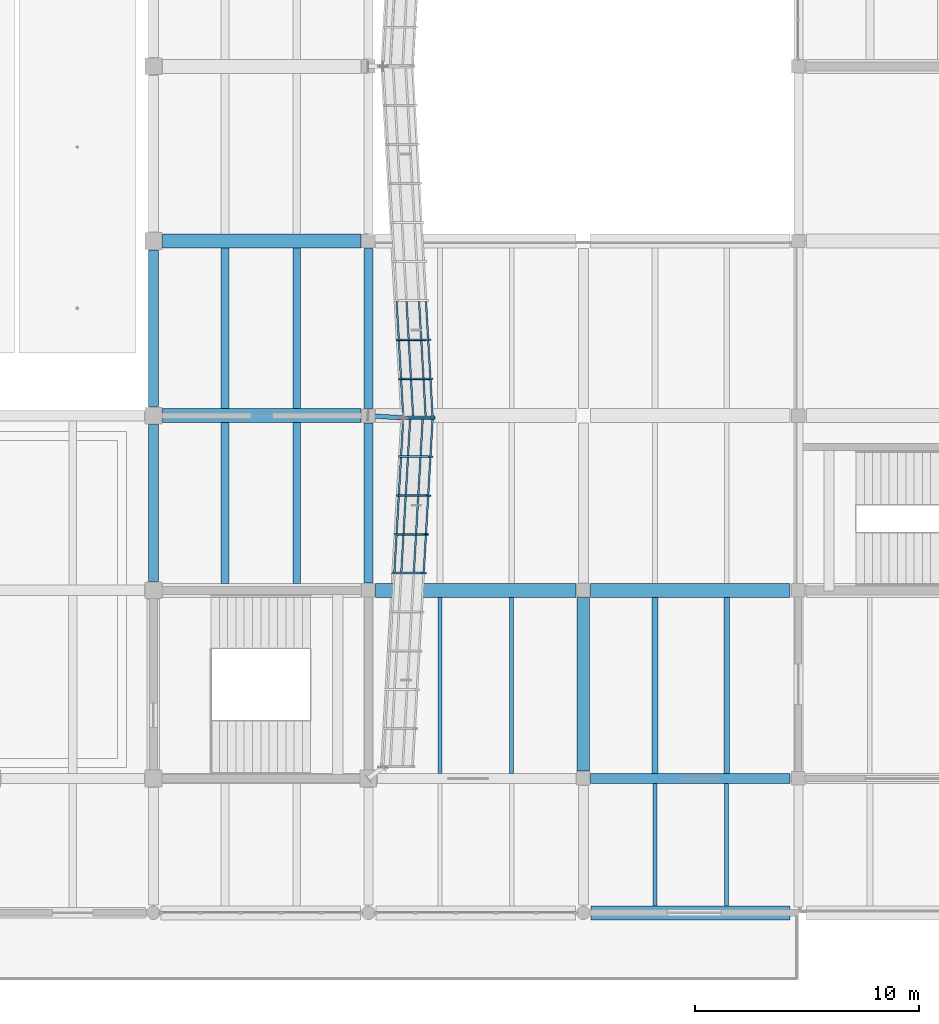
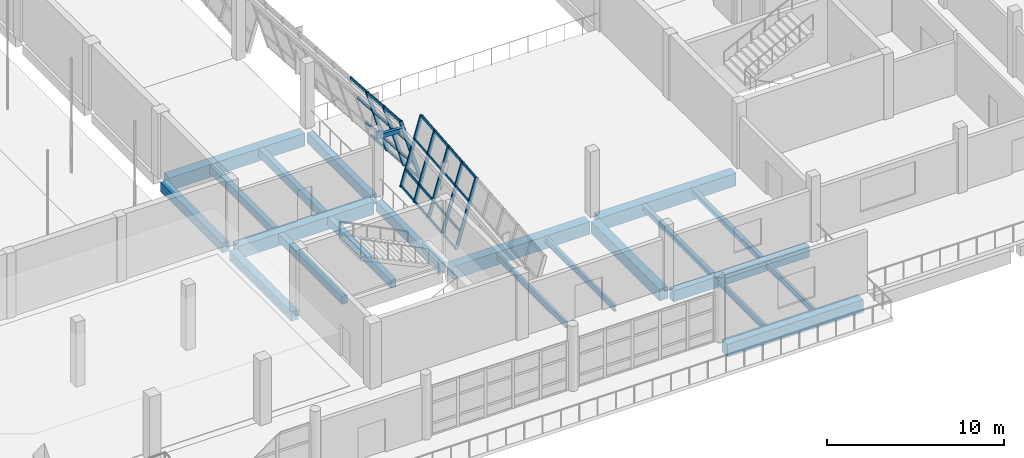
# One storey, part 18 of 71: 36 members, 22 beams, 2 elements without a shape of their own.
"""IFC4 building model written with IfcOpenShell, lengths in metres."""

from ifc_helpers import new_model, si_unit, direction, frame, origin, origin_2d, place, context, subcontext, project, spatial, rectangle, hollow_rectangle, i_section, extrude, material, material_profile, profile_set, type_object, element, aggregate, save


model = new_model("IFC4")

# Units and contexts
model_context = context("Model", 3, precision=1e-05, world=origin(), true_north=direction((0.0, 1.0)))
body_context = subcontext(model_context, "Body", "Model", "MODEL_VIEW")
ifc_project = project(units=[si_unit("LENGTHUNIT", "METRE"), si_unit("AREAUNIT", "SQUARE_METRE"), si_unit("VOLUMEUNIT", "CUBIC_METRE"), si_unit("PLANEANGLEUNIT", "RADIAN"), si_unit("MASSUNIT", "GRAM", prefix="KILO")], contexts=[model_context])

# Site, building, storey
site_placement = place(None, origin())
site = spatial("IfcSite", under=ifc_project, at=site_placement, CompositionType="ELEMENT")
building_placement = place(site_placement, origin())
building = spatial("IfcBuilding", under=site, at=building_placement, Name="Pellamere Symphony Hall", CompositionType="ELEMENT")
storey_placement = place(building_placement, frame((0.0, 0.0, 15.0)))
storey = spatial("IfcBuildingStorey", under=building, at=storey_placement, Name="L03", CompositionType="ELEMENT", Elevation=15.0)

# Curtain wall, members
ifc_material_1 = material(Name="Thermally Broken Anodised Aluminium 6063-T6 Curtain Wall", Category="aluminium")
curtain_wall_type = type_object("IfcCurtainWallType", Name="Curtain Wall CW-01 (Tilted Faceted Crystal Low-Iron Curtain Wall)", PredefinedType="NOTDEFINED", material=ifc_material_1)
curtain_wall_1_placement = place(storey_placement, origin())
curtain_wall_1 = element("IfcCurtainWall", 1, at=curtain_wall_1_placement, inside=storey, type_object=curtain_wall_type, Name="Crystal Faceted Curtain Wall CW-CR06 (L03)", PredefinedType="NOTDEFINED")
ifc_material_2 = material(Name="Anodised Architectural Aluminium 6063-T6", Category="aluminium")
ifc_material_profile_1 = material_profile(ifc_material_2, hollow_rectangle(XDim=0.074951171875, YDim=0.219970703125, WallThickness=0.0048828125, at=origin_2d()), Name="ALU-M75X220X5")
ifc_profile_set_1 = profile_set([ifc_material_profile_1], Name="Anodised Architectural Aluminium 6063-T6")
member_type_1 = type_object("IfcMemberType", Name="Curtain Wall Mullion ML-01 ALU-M75X220X5", PredefinedType="MULLION", material=ifc_profile_set_1)
member_1_placement = place(storey_placement, frame((119.949951171875, 39.166748046875, 0.0), z_axis=(0.284024567884, 0.0, 0.95881700279), x_axis=(-0.055224537145, -0.998339941676, 0.01635883099)))
member_1 = element("IfcMember", 2, at=member_1_placement, type_object=member_type_1, Name="CW1-007 crystal mullion 6", PredefinedType="MULLION", context=body_context, shape_type="SweptSolid", body=[
    extrude(hollow_rectangle(XDim=0.074951171875, YDim=0.219970703125, WallThickness=0.0048828125, at=origin_2d()), origin(), (0.0, 0.0, 1.0), 4.693359375),
])
member_2_placement = place(storey_placement, frame((120.050048828125, 40.89990234375, 0.0), z_axis=(0.284024567884, 0.0, 0.95881700279), x_axis=(-0.055224537145, -0.998339941676, 0.01635883099)))
member_2 = element("IfcMember", 3, at=member_2_placement, type_object=member_type_1, Name="CW1-007 crystal mullion 7", PredefinedType="MULLION", context=body_context, shape_type="SweptSolid", body=[
    extrude(hollow_rectangle(XDim=0.074951171875, YDim=0.219970703125, WallThickness=0.0048828125, at=origin_2d()), origin(), (0.0, 0.0, 1.0), 4.693359375),
])
member_3_placement = place(storey_placement, frame((120.14990234375, 42.63330078125, 0.0), z_axis=(0.284024567884, 0.0, 0.95881700279), x_axis=(-0.055224537145, -0.998339941676, 0.01635883099)))
member_3 = element("IfcMember", 4, at=member_3_placement, type_object=member_type_1, Name="CW1-007 crystal mullion 8", PredefinedType="MULLION", context=body_context, shape_type="SweptSolid", body=[
    extrude(hollow_rectangle(XDim=0.074951171875, YDim=0.219970703125, WallThickness=0.0048828125, at=origin_2d()), origin(), (0.0, 0.0, 1.0), 4.693359375),
])
member_4_placement = place(storey_placement, frame((120.25, 44.36669921875, 0.0), z_axis=(0.284024567884, 0.0, 0.95881700279), x_axis=(-0.055224537145, -0.998339941676, 0.01635883099)))
member_4 = element("IfcMember", 5, at=member_4_placement, type_object=member_type_1, Name="CW1-007 crystal mullion 9", PredefinedType="MULLION", context=body_context, shape_type="SweptSolid", body=[
    extrude(hollow_rectangle(XDim=0.074951171875, YDim=0.219970703125, WallThickness=0.0048828125, at=origin_2d()), origin(), (0.0, 0.0, 1.0), 4.693359375),
])
member_5_placement = place(storey_placement, frame((120.347900390625, 46.0625, 0.0), z_axis=(0.284024567884, 0.0, 0.95881700279), x_axis=(-0.055224537145, -0.998339941676, 0.01635883099)))
member_5 = element("IfcMember", 6, at=member_5_placement, type_object=member_type_1, Name="CW1-007 crystal mullion 10", PredefinedType="MULLION", context=body_context, shape_type="SweptSolid", body=[
    extrude(hollow_rectangle(XDim=0.074951171875, YDim=0.219970703125, WallThickness=0.0048828125, at=origin_2d()), origin(), (0.0, 0.0, 1.0), 4.693359375),
])

curtain_wall_2_placement = place(storey_placement, origin())
curtain_wall_2 = element("IfcCurtainWall", 7, at=curtain_wall_2_placement, inside=storey, type_object=curtain_wall_type, Name="Crystal Faceted Curtain Wall CW-CR07 (L03)", PredefinedType="NOTDEFINED")
member_6_placement = place(storey_placement, frame((121.680908203125, 46.137451171875, 0.0), z_axis=(-0.284024567884, 0.0, 0.95881700279), x_axis=(-0.054873944304, 0.99836096977, -0.016254976991)))
member_6 = element("IfcMember", 8, at=member_6_placement, type_object=member_type_1, Name="CW1-010 crystal mullion 1", PredefinedType="MULLION", context=body_context, shape_type="SweptSolid", body=[
    extrude(hollow_rectangle(XDim=0.074951171875, YDim=0.219970703125, WallThickness=0.0048828125, at=origin_2d()), origin(), (0.0, 0.0, 1.0), 4.693359375),
])
member_7_placement = place(storey_placement, frame((121.5830078125, 47.844482421875, 0.0), z_axis=(-0.284024567884, 0.0, 0.95881700279), x_axis=(-0.054873944304, 0.99836096977, -0.016254976991)))
member_7 = element("IfcMember", 9, at=member_7_placement, type_object=member_type_1, Name="CW1-010 crystal mullion 2", PredefinedType="MULLION", context=body_context, shape_type="SweptSolid", body=[
    extrude(hollow_rectangle(XDim=0.074951171875, YDim=0.219970703125, WallThickness=0.0048828125, at=origin_2d()), origin(), (0.0, 0.0, 1.0), 4.693359375),
])
member_8_placement = place(storey_placement, frame((121.48291015625, 49.5888671875, 0.0), z_axis=(-0.284024567884, 0.0, 0.95881700279), x_axis=(-0.054873944304, 0.99836096977, -0.016254976991)))
member_8 = element("IfcMember", 10, at=member_8_placement, type_object=member_type_1, Name="CW1-010 crystal mullion 3", PredefinedType="MULLION", context=body_context, shape_type="SweptSolid", body=[
    extrude(hollow_rectangle(XDim=0.074951171875, YDim=0.219970703125, WallThickness=0.0048828125, at=origin_2d()), origin(), (0.0, 0.0, 1.0), 4.693359375),
])

# Member
ifc_material_profile_2 = material_profile(ifc_material_2, hollow_rectangle(XDim=0.074951171875, YDim=0.179931640625, WallThickness=0.0048828125, at=origin_2d()), Name="ALU-T75X180X5")
ifc_profile_set_2 = profile_set([ifc_material_profile_2], Name="Anodised Architectural Aluminium 6063-T6")
member_type_2 = type_object("IfcMemberType", Name="Curtain Wall Transom TR-01 ALU-T75X180X5", PredefinedType="USERDEFINED", material=ifc_profile_set_2)
member_9_placement = place(storey_placement, frame((119.962890625, 39.2041015625, 0.035888671875), z_axis=(0.057610619545, 0.998339129012, 0.0), x_axis=(-0.998339129012, 0.057610619545, 0.0)))
member_9 = element("IfcMember", 11, at=member_9_placement, type_object=member_type_2, Name="CW1-007 crystal transom 6.1", ObjectType="TRANSOM", PredefinedType="USERDEFINED", context=body_context, shape_type="SweptSolid", body=[
    extrude(hollow_rectangle(XDim=0.074951171875, YDim=0.179931640625, WallThickness=0.0048828125, at=origin_2d()), origin(), (0.0, 0.0, 1.0), 1.6611328125),
])

member_10_placement = place(storey_placement, frame((120.27197265625, 39.2041015625, 1.080078125), z_axis=(0.057610619545, 0.998339129012, 0.0), x_axis=(-0.998339129012, 0.057610619545, 0.0)))
member_10 = element("IfcMember", 12, at=member_10_placement, type_object=member_type_2, Name="CW1-007 crystal transom 6.2", ObjectType="TRANSOM", PredefinedType="USERDEFINED", context=body_context, shape_type="SweptSolid", body=[
    extrude(hollow_rectangle(XDim=0.074951171875, YDim=0.179931640625, WallThickness=0.0048828125, at=origin_2d()), origin(), (0.0, 0.0, 1.0), 1.6611328125),
])

member_11_placement = place(storey_placement, frame((120.83203125, 39.2041015625, 2.969970703125), z_axis=(0.057610619545, 0.998339129012, 0.0), x_axis=(-0.998339129012, 0.057610619545, 0.0)))
member_11 = element("IfcMember", 13, at=member_11_placement, type_object=member_type_2, Name="CW1-007 crystal transom 6.3", ObjectType="TRANSOM", PredefinedType="USERDEFINED", context=body_context, shape_type="SweptSolid", body=[
    extrude(hollow_rectangle(XDim=0.074951171875, YDim=0.179931640625, WallThickness=0.0048828125, at=origin_2d()), origin(), (0.0, 0.0, 1.0), 1.6611328125),
])

member_12_placement = place(storey_placement, frame((121.2744140625, 39.2041015625, 4.464111328125), z_axis=(0.057610619545, 0.998339129012, 0.0), x_axis=(-0.998339129012, 0.057610619545, 0.0)))
member_12 = element("IfcMember", 14, at=member_12_placement, type_object=member_type_2, Name="CW1-007 crystal transom 6.4", ObjectType="TRANSOM", PredefinedType="USERDEFINED", context=body_context, shape_type="SweptSolid", body=[
    extrude(hollow_rectangle(XDim=0.074951171875, YDim=0.179931640625, WallThickness=0.0048828125, at=origin_2d()), origin(), (0.0, 0.0, 1.0), 1.6611328125),
])

member_13_placement = place(storey_placement, frame((120.062744140625, 40.9375, 0.035888671875), z_axis=(0.057610619545, 0.998339129012, 0.0), x_axis=(-0.998339129012, 0.057610619545, 0.0)))
member_13 = element("IfcMember", 15, at=member_13_placement, type_object=member_type_2, Name="CW1-007 crystal transom 7.1", ObjectType="TRANSOM", PredefinedType="USERDEFINED", context=body_context, shape_type="SweptSolid", body=[
    extrude(hollow_rectangle(XDim=0.074951171875, YDim=0.179931640625, WallThickness=0.0048828125, at=origin_2d()), origin(), (0.0, 0.0, 1.0), 1.6611328125),
])

member_14_placement = place(storey_placement, frame((120.3720703125, 40.9375, 1.080078125), z_axis=(0.057610619545, 0.998339129012, 0.0), x_axis=(-0.998339129012, 0.057610619545, 0.0)))
member_14 = element("IfcMember", 16, at=member_14_placement, type_object=member_type_2, Name="CW1-007 crystal transom 7.2", ObjectType="TRANSOM", PredefinedType="USERDEFINED", context=body_context, shape_type="SweptSolid", body=[
    extrude(hollow_rectangle(XDim=0.074951171875, YDim=0.179931640625, WallThickness=0.0048828125, at=origin_2d()), origin(), (0.0, 0.0, 1.0), 1.6611328125),
])

member_15_placement = place(storey_placement, frame((120.931884765625, 40.9375, 2.969970703125), z_axis=(0.057610619545, 0.998339129012, 0.0), x_axis=(-0.998339129012, 0.057610619545, 0.0)))
member_15 = element("IfcMember", 17, at=member_15_placement, type_object=member_type_2, Name="CW1-007 crystal transom 7.3", ObjectType="TRANSOM", PredefinedType="USERDEFINED", context=body_context, shape_type="SweptSolid", body=[
    extrude(hollow_rectangle(XDim=0.074951171875, YDim=0.179931640625, WallThickness=0.0048828125, at=origin_2d()), origin(), (0.0, 0.0, 1.0), 1.6611328125),
])

member_16_placement = place(storey_placement, frame((121.37451171875, 40.9375, 4.464111328125), z_axis=(0.057610619545, 0.998339129012, 0.0), x_axis=(-0.998339129012, 0.057610619545, 0.0)))
member_16 = element("IfcMember", 18, at=member_16_placement, type_object=member_type_2, Name="CW1-007 crystal transom 7.4", ObjectType="TRANSOM", PredefinedType="USERDEFINED", context=body_context, shape_type="SweptSolid", body=[
    extrude(hollow_rectangle(XDim=0.074951171875, YDim=0.179931640625, WallThickness=0.0048828125, at=origin_2d()), origin(), (0.0, 0.0, 1.0), 1.6611328125),
])

member_17_placement = place(storey_placement, frame((120.162841796875, 42.670654296875, 0.035888671875), z_axis=(0.057602168051, 0.998339616682, 0.0), x_axis=(-0.998339616682, 0.057602168051, 0.0)))
member_17 = element("IfcMember", 19, at=member_17_placement, type_object=member_type_2, Name="CW1-007 crystal transom 8.1", ObjectType="TRANSOM", PredefinedType="USERDEFINED", context=body_context, shape_type="SweptSolid", body=[
    extrude(hollow_rectangle(XDim=0.074951171875, YDim=0.179931640625, WallThickness=0.0048828125, at=origin_2d()), origin(), (0.0, 0.0, 1.0), 1.661376953125),
])

member_18_placement = place(storey_placement, frame((120.47216796875, 42.670654296875, 1.080078125), z_axis=(0.057602168051, 0.998339616682, 0.0), x_axis=(-0.998339616682, 0.057602168051, 0.0)))
member_18 = element("IfcMember", 20, at=member_18_placement, type_object=member_type_2, Name="CW1-007 crystal transom 8.2", ObjectType="TRANSOM", PredefinedType="USERDEFINED", context=body_context, shape_type="SweptSolid", body=[
    extrude(hollow_rectangle(XDim=0.074951171875, YDim=0.179931640625, WallThickness=0.0048828125, at=origin_2d()), origin(), (0.0, 0.0, 1.0), 1.661376953125),
])

member_19_placement = place(storey_placement, frame((121.031982421875, 42.670654296875, 2.969970703125), z_axis=(0.057602168051, 0.998339616682, 0.0), x_axis=(-0.998339616682, 0.057602168051, 0.0)))
member_19 = element("IfcMember", 21, at=member_19_placement, type_object=member_type_2, Name="CW1-007 crystal transom 8.3", ObjectType="TRANSOM", PredefinedType="USERDEFINED", context=body_context, shape_type="SweptSolid", body=[
    extrude(hollow_rectangle(XDim=0.074951171875, YDim=0.179931640625, WallThickness=0.0048828125, at=origin_2d()), origin(), (0.0, 0.0, 1.0), 1.661376953125),
])

member_20_placement = place(storey_placement, frame((121.474609375, 42.670654296875, 4.464111328125), z_axis=(0.05745570945, 0.998348056267, 0.0), x_axis=(-0.998348056267, 0.05745570945, 0.0)))
member_20 = element("IfcMember", 22, at=member_20_placement, type_object=member_type_2, Name="CW1-007 crystal transom 8.4", ObjectType="TRANSOM", PredefinedType="USERDEFINED", context=body_context, shape_type="SweptSolid", body=[
    extrude(hollow_rectangle(XDim=0.074951171875, YDim=0.179931640625, WallThickness=0.0048828125, at=origin_2d()), origin(), (0.0, 0.0, 1.0), 1.661376953125),
])

member_21_placement = place(storey_placement, frame((120.2626953125, 44.404052734375, 0.035888671875), z_axis=(0.057734859862, 0.998331951786, 0.0), x_axis=(-0.998331951786, 0.057734859862, 0.0)))
member_21 = element("IfcMember", 23, at=member_21_placement, type_object=member_type_2, Name="CW1-007 crystal transom 9.1", ObjectType="TRANSOM", PredefinedType="USERDEFINED", context=body_context, shape_type="SweptSolid", body=[
    extrude(hollow_rectangle(XDim=0.074951171875, YDim=0.179931640625, WallThickness=0.0048828125, at=origin_2d()), origin(), (0.0, 0.0, 1.0), 1.623779296875),
])

member_22_placement = place(storey_placement, frame((120.572021484375, 44.404052734375, 1.080078125), z_axis=(0.057585007883, 0.99834060664, 0.0), x_axis=(-0.99834060664, 0.057585007883, 0.0)))
member_22 = element("IfcMember", 24, at=member_22_placement, type_object=member_type_2, Name="CW1-007 crystal transom 9.2", ObjectType="TRANSOM", PredefinedType="USERDEFINED", context=body_context, shape_type="SweptSolid", body=[
    extrude(hollow_rectangle(XDim=0.074951171875, YDim=0.179931640625, WallThickness=0.0048828125, at=origin_2d()), origin(), (0.0, 0.0, 1.0), 1.623779296875),
])

member_23_placement = place(storey_placement, frame((121.1318359375, 44.404052734375, 2.969970703125), z_axis=(0.057585007883, 0.99834060664, 0.0), x_axis=(-0.99834060664, 0.057585007883, 0.0)))
member_23 = element("IfcMember", 25, at=member_23_placement, type_object=member_type_2, Name="CW1-007 crystal transom 9.3", ObjectType="TRANSOM", PredefinedType="USERDEFINED", context=body_context, shape_type="SweptSolid", body=[
    extrude(hollow_rectangle(XDim=0.074951171875, YDim=0.179931640625, WallThickness=0.0048828125, at=origin_2d()), origin(), (0.0, 0.0, 1.0), 1.623779296875),
])

member_24_placement = place(storey_placement, frame((121.574462890625, 44.404052734375, 4.464111328125), z_axis=(0.057585007883, 0.99834060664, 0.0), x_axis=(-0.99834060664, 0.057585007883, 0.0)))
member_24 = element("IfcMember", 26, at=member_24_placement, type_object=member_type_2, Name="CW1-007 crystal transom 9.4", ObjectType="TRANSOM", PredefinedType="USERDEFINED", context=body_context, shape_type="SweptSolid", body=[
    extrude(hollow_rectangle(XDim=0.074951171875, YDim=0.179931640625, WallThickness=0.0048828125, at=origin_2d()), origin(), (0.0, 0.0, 1.0), 1.623779296875),
])

aggregate(curtain_wall_1, [member_1, member_2, member_3, member_4, member_5, member_9, member_10, member_11, member_12, member_13, member_14, member_15, member_16, member_17, member_18, member_19, member_20, member_21, member_22, member_23, member_24])

member_25_placement = place(storey_placement, frame((121.66796875, 46.1748046875, 0.035888671875), z_axis=(-0.057198647566, 0.998362817175, 0.0), x_axis=(-0.998362817175, -0.057198647566, 0.0)))
member_25 = element("IfcMember", 27, at=member_25_placement, type_object=member_type_2, Name="CW1-010 crystal transom 1.1", ObjectType="TRANSOM", PredefinedType="USERDEFINED", context=body_context, shape_type="SweptSolid", body=[
    extrude(hollow_rectangle(XDim=0.074951171875, YDim=0.179931640625, WallThickness=0.0048828125, at=origin_2d()), origin(), (0.0, 0.0, 1.0), 1.634765625),
])

member_26_placement = place(storey_placement, frame((121.35888671875, 46.1748046875, 1.080078125), z_axis=(-0.057347500779, 0.998354277877, 0.0), x_axis=(-0.998354277877, -0.057347500779, 0.0)))
member_26 = element("IfcMember", 28, at=member_26_placement, type_object=member_type_2, Name="CW1-010 crystal transom 1.2", ObjectType="TRANSOM", PredefinedType="USERDEFINED", context=body_context, shape_type="SweptSolid", body=[
    extrude(hollow_rectangle(XDim=0.074951171875, YDim=0.179931640625, WallThickness=0.0048828125, at=origin_2d()), origin(), (0.0, 0.0, 1.0), 1.634765625),
])

member_27_placement = place(storey_placement, frame((120.798828125, 46.1748046875, 2.969970703125), z_axis=(-0.057198647566, 0.998362817175, 0.0), x_axis=(-0.998362817175, -0.057198647566, 0.0)))
member_27 = element("IfcMember", 29, at=member_27_placement, type_object=member_type_2, Name="CW1-010 crystal transom 1.3", ObjectType="TRANSOM", PredefinedType="USERDEFINED", context=body_context, shape_type="SweptSolid", body=[
    extrude(hollow_rectangle(XDim=0.074951171875, YDim=0.179931640625, WallThickness=0.0048828125, at=origin_2d()), origin(), (0.0, 0.0, 1.0), 1.634765625),
])

member_28_placement = place(storey_placement, frame((120.3564453125, 46.1748046875, 4.464111328125), z_axis=(-0.057347500779, 0.998354277877, 0.0), x_axis=(-0.998354277877, -0.057347500779, 0.0)))
member_28 = element("IfcMember", 30, at=member_28_placement, type_object=member_type_2, Name="CW1-010 crystal transom 1.4", ObjectType="TRANSOM", PredefinedType="USERDEFINED", context=body_context, shape_type="SweptSolid", body=[
    extrude(hollow_rectangle(XDim=0.074951171875, YDim=0.179931640625, WallThickness=0.0048828125, at=origin_2d()), origin(), (0.0, 0.0, 1.0), 1.634765625),
])

member_29_placement = place(storey_placement, frame((121.5703125, 47.8818359375, 0.035888671875), z_axis=(-0.057224396245, 0.998361341637, 0.0), x_axis=(-0.998361341637, -0.057224396245, 0.0)))
member_29 = element("IfcMember", 31, at=member_29_placement, type_object=member_type_2, Name="CW1-010 crystal transom 2.1", ObjectType="TRANSOM", PredefinedType="USERDEFINED", context=body_context, shape_type="SweptSolid", body=[
    extrude(hollow_rectangle(XDim=0.074951171875, YDim=0.179931640625, WallThickness=0.0048828125, at=origin_2d()), origin(), (0.0, 0.0, 1.0), 1.67236328125),
])

member_30_placement = place(storey_placement, frame((121.260986328125, 47.8818359375, 1.080078125), z_axis=(-0.057224396245, 0.998361341637, 0.0), x_axis=(-0.998361341637, -0.057224396245, 0.0)))
member_30 = element("IfcMember", 32, at=member_30_placement, type_object=member_type_2, Name="CW1-010 crystal transom 2.2", ObjectType="TRANSOM", PredefinedType="USERDEFINED", context=body_context, shape_type="SweptSolid", body=[
    extrude(hollow_rectangle(XDim=0.074951171875, YDim=0.179931640625, WallThickness=0.0048828125, at=origin_2d()), origin(), (0.0, 0.0, 1.0), 1.67236328125),
])

member_31_placement = place(storey_placement, frame((120.701171875, 47.8818359375, 2.969970703125), z_axis=(-0.057224396245, 0.998361341637, 0.0), x_axis=(-0.998361341637, -0.057224396245, 0.0)))
member_31 = element("IfcMember", 33, at=member_31_placement, type_object=member_type_2, Name="CW1-010 crystal transom 2.3", ObjectType="TRANSOM", PredefinedType="USERDEFINED", context=body_context, shape_type="SweptSolid", body=[
    extrude(hollow_rectangle(XDim=0.074951171875, YDim=0.179931640625, WallThickness=0.0048828125, at=origin_2d()), origin(), (0.0, 0.0, 1.0), 1.67236328125),
])

member_32_placement = place(storey_placement, frame((120.258544921875, 47.8818359375, 4.464111328125), z_axis=(-0.057224396245, 0.998361341637, 0.0), x_axis=(-0.998361341637, -0.057224396245, 0.0)))
member_32 = element("IfcMember", 34, at=member_32_placement, type_object=member_type_2, Name="CW1-010 crystal transom 2.4", ObjectType="TRANSOM", PredefinedType="USERDEFINED", context=body_context, shape_type="SweptSolid", body=[
    extrude(hollow_rectangle(XDim=0.074951171875, YDim=0.179931640625, WallThickness=0.0048828125, at=origin_2d()), origin(), (0.0, 0.0, 1.0), 1.67236328125),
])

member_33_placement = place(storey_placement, frame((121.47021484375, 49.626220703125, 0.035888671875), z_axis=(-0.057224396245, 0.998361341637, 0.0), x_axis=(-0.998361341637, -0.057224396245, 0.0)))
member_33 = element("IfcMember", 35, at=member_33_placement, type_object=member_type_2, Name="CW1-010 crystal transom 3.1", ObjectType="TRANSOM", PredefinedType="USERDEFINED", context=body_context, shape_type="SweptSolid", body=[
    extrude(hollow_rectangle(XDim=0.074951171875, YDim=0.179931640625, WallThickness=0.0048828125, at=origin_2d()), origin(), (0.0, 0.0, 1.0), 1.67236328125),
])

member_34_placement = place(storey_placement, frame((121.160888671875, 49.626220703125, 1.080078125), z_axis=(-0.057224396245, 0.998361341637, 0.0), x_axis=(-0.998361341637, -0.057224396245, 0.0)))
member_34 = element("IfcMember", 36, at=member_34_placement, type_object=member_type_2, Name="CW1-010 crystal transom 3.2", ObjectType="TRANSOM", PredefinedType="USERDEFINED", context=body_context, shape_type="SweptSolid", body=[
    extrude(hollow_rectangle(XDim=0.074951171875, YDim=0.179931640625, WallThickness=0.0048828125, at=origin_2d()), origin(), (0.0, 0.0, 1.0), 1.67236328125),
])

member_35_placement = place(storey_placement, frame((120.60107421875, 49.626220703125, 2.969970703125), z_axis=(-0.057224396245, 0.998361341637, 0.0), x_axis=(-0.998361341637, -0.057224396245, 0.0)))
member_35 = element("IfcMember", 37, at=member_35_placement, type_object=member_type_2, Name="CW1-010 crystal transom 3.3", ObjectType="TRANSOM", PredefinedType="USERDEFINED", context=body_context, shape_type="SweptSolid", body=[
    extrude(hollow_rectangle(XDim=0.074951171875, YDim=0.179931640625, WallThickness=0.0048828125, at=origin_2d()), origin(), (0.0, 0.0, 1.0), 1.67236328125),
])

member_36_placement = place(storey_placement, frame((120.158447265625, 49.626220703125, 4.464111328125), z_axis=(-0.057224396245, 0.998361341637, 0.0), x_axis=(-0.998361341637, -0.057224396245, 0.0)))
member_36 = element("IfcMember", 38, at=member_36_placement, type_object=member_type_2, Name="CW1-010 crystal transom 3.4", ObjectType="TRANSOM", PredefinedType="USERDEFINED", context=body_context, shape_type="SweptSolid", body=[
    extrude(hollow_rectangle(XDim=0.074951171875, YDim=0.179931640625, WallThickness=0.0048828125, at=origin_2d()), origin(), (0.0, 0.0, 1.0), 1.67236328125),
])

aggregate(curtain_wall_2, [member_6, member_7, member_8, member_25, member_26, member_27, member_28, member_29, member_30, member_31, member_32, member_33, member_34, member_35, member_36])

# Beams
ifc_material_3 = material(Name="Concrete 40 MPa", Category="concrete")
ifc_material_profile_3 = material_profile(ifc_material_3, rectangle(XDim=0.550048828125, YDim=0.800048828125, at=origin_2d()), Name="RC 550x800")
ifc_profile_set_3 = profile_set([ifc_material_profile_3], Name="Concrete 40 MPa")
beam_type_1 = type_object("IfcBeamType", Name="RC CB-05 550x800", PredefinedType="BEAM", material=ifc_profile_set_3)
beam_1_placement = place(storey_placement, frame((128.39990234375, 30.324951171875, -0.659912109375), z_axis=(0.0, 1.0, 0.0), x_axis=(-1.0, 0.0, 0.0)))
element("IfcBeam", 39, at=beam_1_placement, inside=storey, type_object=beam_type_1, Name="Girder CB-05-Y1667 (L03)", PredefinedType="BEAM", context=body_context, shape_type="SweptSolid", body=[
    extrude(rectangle(XDim=0.550048828125, YDim=0.800048828125, at=origin_2d()), origin(), (0.0, 0.0, 1.0), 7.75),
])
ifc_material_profile_4 = material_profile(ifc_material_3, rectangle(XDim=0.449951171875, YDim=0.64990234375, at=origin_2d()), Name="RC 450x650")
ifc_profile_set_4 = profile_set([ifc_material_profile_4], Name="Concrete 40 MPa")
beam_type_2 = type_object("IfcBeamType", Name="RC CB-08 450x650", PredefinedType="BEAM", material=ifc_profile_set_4)
for number, where, z_axis, x_axis, name in (
    (40, (109.199951171875, 38.800048828125, -0.5849609375), (0.0, 1.0, 0.0), (-1.0, 0.0, 0.0), "Girder CB-08-Y1651 (L03)"),
    (41, (109.199951171875, 46.60009765625, -0.5849609375), (0.0, 1.0, 0.0), (-1.0, 0.0, 0.0), "Girder CB-08-Y1652 (L03)"),
):
    element("IfcBeam", number, at=place(storey_placement, frame(where, z_axis=z_axis, x_axis=x_axis)), inside=storey, type_object=beam_type_2, Name=name, PredefinedType="BEAM", context=body_context, shape_type="SweptSolid", body=[
        extrude(rectangle(XDim=0.449951171875, YDim=0.64990234375, at=origin_2d()), origin(), (0.0, 0.0, 1.0), 7.0),
    ])
ifc_material_4 = material(Name="Concrete 35 MPa", Category="concrete")
ifc_material_profile_5 = material_profile(ifc_material_4, rectangle(XDim=0.35009765625, YDim=0.550048828125, at=origin_2d()), Name="RC 350x550")
ifc_profile_set_5 = profile_set([ifc_material_profile_5], Name="Concrete 35 MPa")
beam_type_3 = type_object("IfcBeamType", Name="RC CB-10 350x550", PredefinedType="BEAM", material=ifc_profile_set_5)
for number, where, z_axis, x_axis, name in (
    (42, (112.39990234375, 38.7099609375, -0.550048828125), (0.0, 1.0, 0.0), (-1.0, 0.0, 0.0), "Secondary Floor Beam CB-10-A1405 (L03)"),
    (43, (115.60009765625, 38.7099609375, -0.550048828125), (0.0, 1.0, 0.0), (-1.0, 0.0, 0.0), "Secondary Floor Beam CB-10-B1405 (L03)"),
    (44, (112.39990234375, 46.510009765625, -0.550048828125), (0.0, 1.0, 0.0), (-1.0, 0.0, 0.0), "Secondary Floor Beam CB-10-A1406 (L03)"),
    (45, (115.60009765625, 46.510009765625, -0.550048828125), (0.0, 1.0, 0.0), (-1.0, 0.0, 0.0), "Secondary Floor Beam CB-10-B1406 (L03)"),
):
    element("IfcBeam", number, at=place(storey_placement, frame(where, z_axis=z_axis, x_axis=x_axis)), inside=storey, type_object=beam_type_3, Name=name, PredefinedType="BEAM", context=body_context, shape_type="SweptSolid", body=[
        extrude(rectangle(XDim=0.35009765625, YDim=0.550048828125, at=origin_2d()), origin(), (0.0, 0.0, 1.0), 7.179931640625),
    ])
ifc_material_profile_6 = material_profile(ifc_material_3, rectangle(XDim=0.449951171875, YDim=0.75, at=origin_2d()), Name="RC 450x750")
ifc_profile_set_6 = profile_set([ifc_material_profile_6], Name="Concrete 40 MPa")
beam_type_4 = type_object("IfcBeamType", Name="RC CB-12 450x750", PredefinedType="SPANDREL", material=ifc_profile_set_6)
beam_2_placement = place(storey_placement, frame((128.72509765625, 30.0, -0.635009765625), z_axis=(1.0, 0.0, 0.0), x_axis=(0.0, 1.0, 0.0)))
element("IfcBeam", 46, at=beam_2_placement, inside=storey, type_object=beam_type_4, Name="Girder CB-12-X1516 (L03)", PredefinedType="SPANDREL", context=body_context, shape_type="SweptSolid", body=[
    extrude(rectangle(XDim=0.449951171875, YDim=0.75, at=origin_2d()), origin(), (0.0, 0.0, 1.0), 8.89990234375),
])
ifc_material_profile_7 = material_profile(ifc_material_3, rectangle(XDim=0.39990234375, YDim=0.699951171875, at=origin_2d()), Name="RC 400x700")
ifc_profile_set_7 = profile_set([ifc_material_profile_7], Name="Concrete 40 MPa")
beam_type_5 = type_object("IfcBeamType", Name="RC CB-13 400x700", PredefinedType="SPANDREL", material=ifc_profile_set_7)
beam_3_placement = place(storey_placement, frame((118.800048828125, 38.72509765625, -0.610107421875), z_axis=(0.0, 1.0, 0.0), x_axis=(-1.0, 0.0, 0.0)))
element("IfcBeam", 47, at=beam_3_placement, inside=storey, type_object=beam_type_5, Name="Girder CB-13-Y1660 (L03)", PredefinedType="SPANDREL", context=body_context, shape_type="SweptSolid", body=[
    extrude(rectangle(XDim=0.39990234375, YDim=0.699951171875, at=origin_2d()), origin(), (0.0, 0.0, 1.0), 7.14990234375),
])
beam_4_placement = place(storey_placement, frame((118.800048828125, 46.52490234375, -0.610107421875), z_axis=(0.0, 1.0, 0.0), x_axis=(-1.0, 0.0, 0.0)))
element("IfcBeam", 48, at=beam_4_placement, inside=storey, type_object=beam_type_5, Name="Girder CB-13-Y1661 (L03)", PredefinedType="SPANDREL", context=body_context, shape_type="SweptSolid", body=[
    extrude(rectangle(XDim=0.39990234375, YDim=0.699951171875, at=origin_2d()), origin(), (0.0, 0.0, 1.0), 7.150146484375),
])
ifc_material_profile_8 = material_profile(ifc_material_3, rectangle(XDim=0.6201171875, YDim=0.8798828125, at=origin_2d()), Name="RC 620x880")
ifc_profile_set_8 = profile_set([ifc_material_profile_8], Name="Concrete 40 MPa")
beam_type_6 = type_object("IfcBeamType", Name="RC CB-17 620x880", PredefinedType="BEAM", material=ifc_profile_set_8)
beam_5_placement = place(storey_placement, frame((128.75, 24.0, -0.699951171875), z_axis=(1.0, 0.0, 0.0), x_axis=(0.0, 1.0, 0.0)))
element("IfcBeam", 49, at=beam_5_placement, inside=storey, type_object=beam_type_6, Name="Girder CB-17-X1501 (L03)", PredefinedType="BEAM", context=body_context, shape_type="SweptSolid", body=[
    extrude(rectangle(XDim=0.6201171875, YDim=0.8798828125, at=origin_2d()), origin(), (0.0, 0.0, 1.0), 8.875),
])
beam_6_placement = place(storey_placement, frame((119.125, 38.39990234375, -0.699951171875), z_axis=(1.0, 0.0, 0.0), x_axis=(0.0, 1.0, 0.0)))
element("IfcBeam", 50, at=beam_6_placement, inside=storey, type_object=beam_type_6, Name="Girder CB-17-X1530 (L03)", PredefinedType="BEAM", context=body_context, shape_type="SweptSolid", body=[
    extrude(rectangle(XDim=0.6201171875, YDim=0.8798828125, at=origin_2d()), origin(), (0.0, 0.0, 1.0), 8.949951171875),
])
beam_7_placement = place(storey_placement, frame((128.72509765625, 38.39990234375, -0.699951171875), z_axis=(1.0, 0.0, 0.0), x_axis=(0.0, 1.0, 0.0)))
element("IfcBeam", 51, at=beam_7_placement, inside=storey, type_object=beam_type_6, Name="Girder CB-17-X1531 (L03)", PredefinedType="BEAM", context=body_context, shape_type="SweptSolid", body=[
    extrude(rectangle(XDim=0.6201171875, YDim=0.8798828125, at=origin_2d()), origin(), (0.0, 0.0, 1.0), 8.89990234375),
])
for number, where, z_axis, x_axis, name in (
    (52, (109.60009765625, 46.199951171875, -0.699951171875), (1.0, 0.0, 0.0), (0.0, 1.0, 0.0), "Girder CB-17-X1544 (L03)"),
    (53, (109.60009765625, 54.0, -0.699951171875), (1.0, 0.0, 0.0), (0.0, 1.0, 0.0), "Girder CB-17-X1552 (L03)"),
):
    element("IfcBeam", number, at=place(storey_placement, frame(where, z_axis=z_axis, x_axis=x_axis)), inside=storey, type_object=beam_type_6, Name=name, PredefinedType="BEAM", context=body_context, shape_type="SweptSolid", body=[
        extrude(rectangle(XDim=0.6201171875, YDim=0.8798828125, at=origin_2d()), origin(), (0.0, 0.0, 1.0), 8.875),
    ])
ifc_material_5 = material(Name="Steel CSA G40.21 350W", Category="steel")
ifc_material_profile_9 = material_profile(ifc_material_5, i_section(OverallWidth=0.179931640625, OverallDepth=0.4130859375, WebThickness=0.009765625, FlangeThickness=0.01513671875, at=origin_2d()), Name="W410X74")
ifc_profile_set_9 = profile_set([ifc_material_profile_9], Name="Steel CSA G40.21 350W")
beam_type_7 = type_object("IfcBeamType", Name="Steel Joist SB-19 W410X74", PredefinedType="JOIST", material=ifc_profile_set_9)
for number, where, z_axis, x_axis, name in (
    (54, (122.0, 30.22509765625, -0.4814453125), (0.0, 1.0, 0.0), (-1.0, 0.0, 0.0), "Secondary Floor Beam SB-19-A1504 (L03)"),
    (55, (125.199951171875, 30.22509765625, -0.4814453125), (0.0, 1.0, 0.0), (-1.0, 0.0, 0.0), "Secondary Floor Beam SB-19-B1504 (L03)"),
):
    element("IfcBeam", number, at=place(storey_placement, frame(where, z_axis=z_axis, x_axis=x_axis)), inside=storey, type_object=beam_type_7, Name=name, PredefinedType="JOIST", context=body_context, shape_type="SweptSolid", body=[
        extrude(i_section(OverallWidth=0.179931640625, OverallDepth=0.4130859375, WebThickness=0.009765625, FlangeThickness=0.01513671875, at=origin_2d()), origin(), (0.0, 0.0, 1.0), 7.864990234375),
    ])
for number, where, z_axis, x_axis, name in (
    (56, (131.60009765625, 24.31005859375, -0.4814453125), (0.0, 1.0, 0.0), (-1.0, 0.0, 0.0), "Secondary Floor Beam SB-19-A1603 (L03)"),
    (57, (134.800048828125, 24.31005859375, -0.4814453125), (0.0, 1.0, 0.0), (-1.0, 0.0, 0.0), "Secondary Floor Beam SB-19-B1603 (L03)"),
):
    element("IfcBeam", number, at=place(storey_placement, frame(where, z_axis=z_axis, x_axis=x_axis)), inside=storey, type_object=beam_type_7, Name=name, PredefinedType="JOIST", context=body_context, shape_type="SweptSolid", body=[
        extrude(i_section(OverallWidth=0.179931640625, OverallDepth=0.4130859375, WebThickness=0.009765625, FlangeThickness=0.01513671875, at=origin_2d()), origin(), (0.0, 0.0, 1.0), 5.46484375),
    ])
ifc_material_profile_10 = material_profile(ifc_material_5, i_section(OverallWidth=0.25390625, OverallDepth=0.35302734375, WebThickness=0.009521484375, FlangeThickness=0.016357421875, at=origin_2d()), Name="W360X91")
ifc_profile_set_10 = profile_set([ifc_material_profile_10], Name="Steel CSA G40.21 350W")
beam_type_8 = type_object("IfcBeamType", Name="Steel Joist SB-20 W360X91", PredefinedType="JOIST", material=ifc_profile_set_10)
for number, where, z_axis, x_axis, name in (
    (58, (131.60009765625, 30.22509765625, -0.451416015625), (0.0, 1.0, 0.0), (-1.0, 0.0, 0.0), "Secondary Floor Beam SB-20-A1604 (L03)"),
    (59, (134.800048828125, 30.22509765625, -0.451416015625), (0.0, 1.0, 0.0), (-1.0, 0.0, 0.0), "Secondary Floor Beam SB-20-B1604 (L03)"),
):
    element("IfcBeam", number, at=place(storey_placement, frame(where, z_axis=z_axis, x_axis=x_axis)), inside=storey, type_object=beam_type_8, Name=name, PredefinedType="JOIST", context=body_context, shape_type="SweptSolid", body=[
        extrude(i_section(OverallWidth=0.25390625, OverallDepth=0.35302734375, WebThickness=0.009521484375, FlangeThickness=0.016357421875, at=origin_2d()), origin(), (0.0, 0.0, 1.0), 7.864990234375),
    ])
ifc_material_profile_11 = material_profile(ifc_material_5, hollow_rectangle(XDim=0.203125, YDim=0.3046875, WallThickness=0.0126953125, at=origin_2d()), Name="HSS305X203X13")
ifc_profile_set_11 = profile_set([ifc_material_profile_11], Name="Steel CSA G40.21 350W")
beam_type_9 = type_object("IfcBeamType", Name="Steel Spandrel SB-26 HSS305X203X13", PredefinedType="SPANDREL", material=ifc_profile_set_11)
beam_8_placement = place(storey_placement, frame((118.800048828125, 46.199951171875, 3.93994140625), z_axis=(0.997931493802, -0.064286341308, 0.0), x_axis=(0.064286341308, 0.997931493802, 0.0)))
element("IfcBeam", 60, at=beam_8_placement, inside=storey, type_object=beam_type_9, Name="Crystal Ring Outrigger Bracket 016 (L03)", PredefinedType="SPANDREL", context=body_context, shape_type="SweptSolid", body=[
    extrude(hollow_rectangle(XDim=0.203125, YDim=0.3046875, WallThickness=0.0126953125, at=origin_2d()), origin(), (0.0, 0.0, 1.0), 1.55322265625),
])

save(model, "model.ifc")
